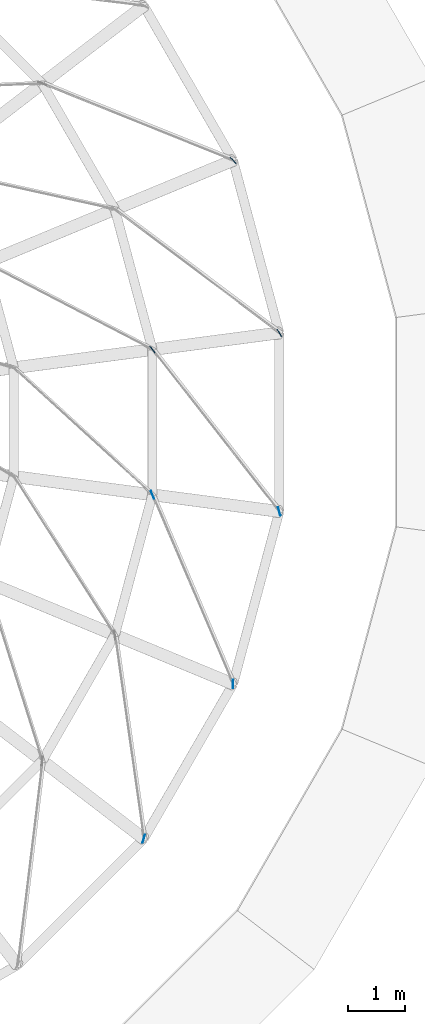
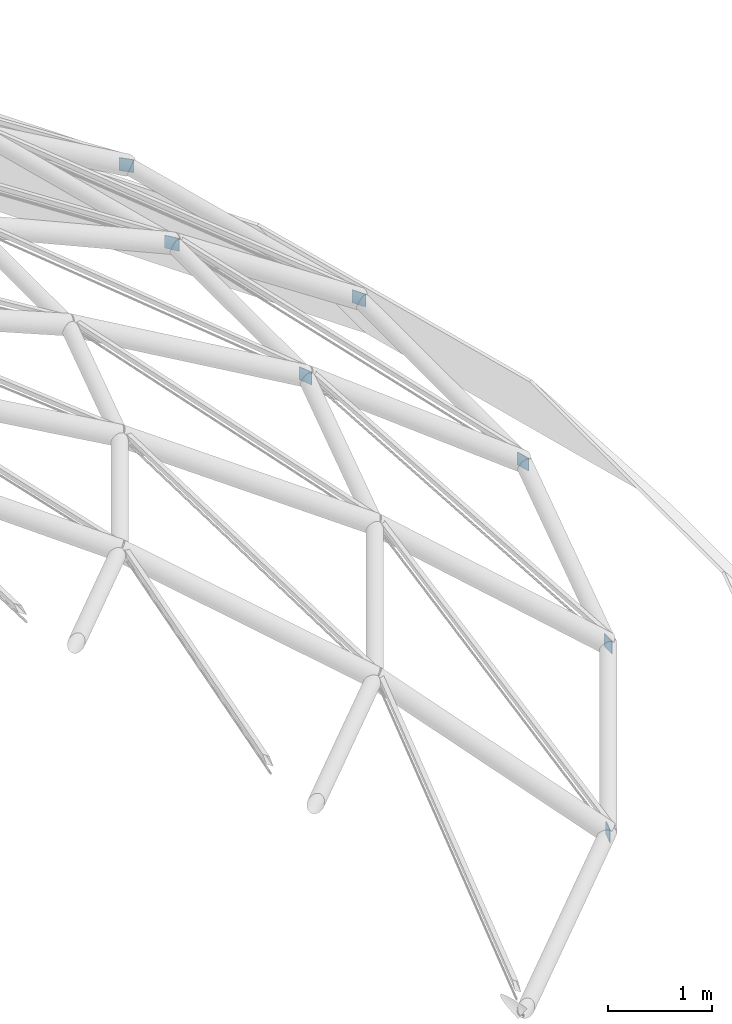
# One storey, part 27 of 33: 7 discrete accessories.
"""IFC4 building model written with IfcOpenShell, lengths in metres."""

from ifc_helpers import new_model, si_unit, direction, frame, origin, origin_2d, place, context, subcontext, project, spatial, rectangle, extrude, material, type_object, element, save


model = new_model("IFC4")

# Units and contexts
model_context = context("Model", 3, precision=1e-05, world=origin(), true_north=direction((0.0, 1.0)))
body_context = subcontext(model_context, "Body", "Model", "MODEL_VIEW")
ifc_project = project(units=[si_unit("LENGTHUNIT", "METRE"), si_unit("AREAUNIT", "SQUARE_METRE"), si_unit("VOLUMEUNIT", "CUBIC_METRE"), si_unit("PLANEANGLEUNIT", "RADIAN"), si_unit("MASSUNIT", "GRAM", prefix="KILO")], contexts=[model_context])

# Site, building, storey
site_placement = place(None, origin())
site = spatial("IfcSite", under=ifc_project, at=site_placement, CompositionType="ELEMENT")
building_placement = place(site_placement, origin())
building = spatial("IfcBuilding", under=site, at=building_placement, Name="Hortulan Conservatory and Botanical Research Centre", CompositionType="ELEMENT")
storey_placement = place(building_placement, frame((0.0, 0.0, 19.199951171875)))
storey = spatial("IfcBuildingStorey", under=building, at=storey_placement, Name="L04", CompositionType="ELEMENT", Elevation=19.199951171875)

# Discrete accessories
ifc_material = material(Name="Steel Grade 300 plate (AS/NZS 3678, 280 MPa minimum yield)", Category="steel")
discrete_accessory_type = type_object("IfcDiscreteAccessoryType", Name="End Plate 150x10", PredefinedType="BRACKET", material=ifc_material)
for number, where, z_axis, x_axis, name in (
    (1, (63.599609375, 10.634033203125, 0.361572265625), (0.0, 0.0, 1.0), (0.256542419662, 0.966532972492, 0.0), "Dome rod end plate"),
    (2, (63.753662109375, 16.7158203125, 1.972900390625), (0.0, 0.0, 1.0), (0.391855445435, -0.920026798459, 0.0), "Dome rod end plate"),
    (3, (63.753662109375, 19.2841796875, 1.972900390625), (0.0, 0.0, 1.0), (0.616637492514, -0.787247231069, 0.0), "Dome rod end plate"),
    (4, (65.178955078125, 13.369384765625, 0.361572265625), (0.0, 0.0, 1.0), (0.002373645554, -0.999997182899, 0.0), "Dome rod end plate"),
    (5, (65.178955078125, 22.630615234375, 0.361572265625), (0.0, 0.0, 1.0), (0.708770897942, -0.705438738822, 0.0), "Dome rod end plate"),
    (6, (65.99658203125, 16.420654296875, 0.361572265625), (0.0, 0.0, 1.0), (0.26109423367, -0.965313317604, 0.0), "Dome rod end plate"),
    (7, (65.99658203125, 19.579345703125, 0.361572265625), (0.0, 0.0, 1.0), (0.502054228799, -0.864836141327, 0.0), "Dome rod end plate"),
):
    element("IfcDiscreteAccessory", number, at=place(storey_placement, frame(where, z_axis=z_axis, x_axis=x_axis)), inside=storey, type_object=discrete_accessory_type, Name=name, PredefinedType="BRACKET", context=body_context, shape_type="SweptSolid", body=[
        extrude(rectangle(XDim=0.14990234375, YDim=0.010009765625, at=origin_2d()), origin(), (0.0, 0.0, 1.0), 0.14990234375),
    ])

save(model, "model.ifc")
